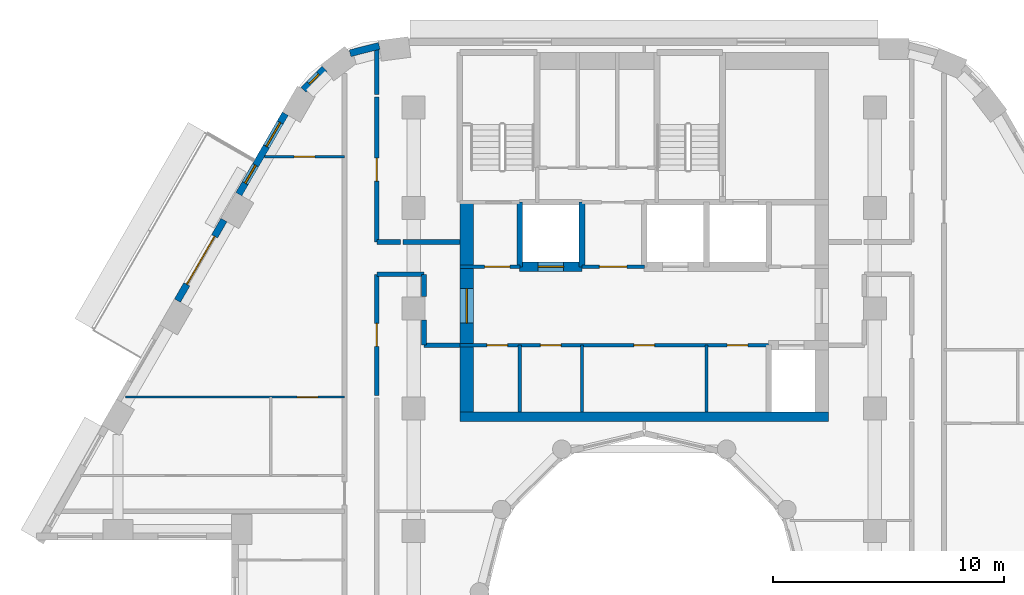
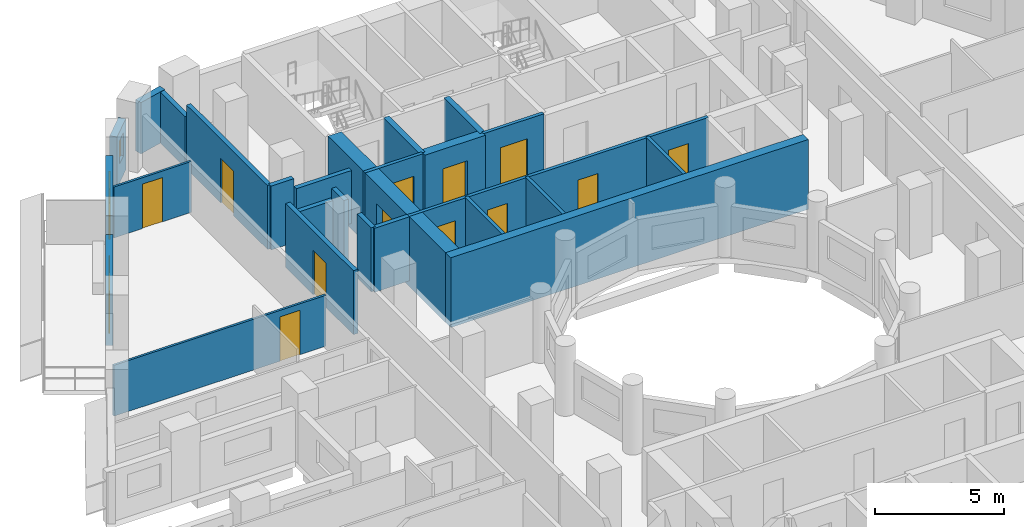
# One storey, part 7 of 13: 26 walls, 13 doors, 3 windows, 16 openings.
"""IFC4 building model written with IfcOpenShell, lengths in metres."""

from ifc_helpers import new_model, si_unit, direction, frame, frame_2d, origin, place, context, subcontext, project, spatial, rectangle, extrude, material, layer, layer_set, type_object, element, fill, save


model = new_model("IFC4")

# Units and contexts
model_context = context("Model", 3, precision=1e-05, world=origin(), true_north=direction((0.0, 1.0)))
body_context = subcontext(model_context, "Body", "Model", "MODEL_VIEW")
ifc_project = project(units=[si_unit("LENGTHUNIT", "METRE"), si_unit("AREAUNIT", "SQUARE_METRE"), si_unit("VOLUMEUNIT", "CUBIC_METRE"), si_unit("PLANEANGLEUNIT", "RADIAN"), si_unit("MASSUNIT", "GRAM", prefix="KILO")], contexts=[model_context])

# Site, building, storey
site_placement = place(None, origin())
site = spatial("IfcSite", under=ifc_project, at=site_placement, CompositionType="ELEMENT")
building_placement = place(site_placement, origin())
building = spatial("IfcBuilding", under=site, at=building_placement, Name="Nakaniwa Court", CompositionType="ELEMENT")
storey_placement = place(building_placement, frame((0.0, 0.0, 140.39990234375)))
storey = spatial("IfcBuildingStorey", under=building, at=storey_placement, Name="L36", CompositionType="ELEMENT", Elevation=140.39990234375)

# Walls
ifc_material_1 = material(Name="Acoustic double stud partition")
ifc_layer_1 = layer(ifc_material_1, 0.199951171875)
ifc_layer_set_1 = layer_set([ifc_layer_1], Name="Acoustic double stud partition")
wall_type_1 = type_object("IfcWallType", Name="Acoustic double stud partition 200", PredefinedType="PARTITIONING", material=ifc_layer_set_1)
wall_1_placement = place(storey_placement, frame((68.39990234375, 93.77490234375, 0.0), z_axis=(0.0, 0.0, 1.0), x_axis=(1.0, 0.0, 0.0)))
element("IfcWall", 1, at=wall_1_placement, inside=storey, type_object=wall_type_1, Name="Partition PW-092", PredefinedType="PARTITIONING", context=body_context, shape_type="SweptSolid", body=[
    extrude(rectangle(XDim=2.050048828125, YDim=0.199951171875, at=frame_2d((1.02490234375, 0.0))), origin(), (0.0, 0.0, 1.0), 2.505126953125),
])
wall_2_placement = place(storey_placement, frame((70.449951171875, 90.699951171875, 0.0), z_axis=(0.0, 0.0, 1.0), x_axis=(1.0, 0.0, 0.0)))
element("IfcWall", 2, at=wall_2_placement, inside=storey, type_object=wall_type_1, Name="Partition PW-094", PredefinedType="PARTITIONING", context=body_context, shape_type="SweptSolid", body=[
    extrude(rectangle(XDim=1.550048828125, YDim=0.199951171875, at=frame_2d((0.77490234375, 0.0))), origin(), (0.0, 0.0, 1.0), 3.025146484375),
])
wall_3_placement = place(storey_placement, frame((68.39990234375, 95.175048828125, 0.0), z_axis=(0.0, 0.0, 1.0), x_axis=(1.0, 0.0, 0.0)))
element("IfcWall", 3, at=wall_3_placement, inside=storey, type_object=wall_type_1, Name="Partition PW-096", PredefinedType="PARTITIONING", context=body_context, shape_type="SweptSolid", body=[
    extrude(rectangle(XDim=1.02294921875, YDim=0.199951171875, at=frame_2d((0.511474609375, 0.0))), origin(), (0.0, 0.0, 1.0), 3.025146484375),
])
wall_4_placement = place(storey_placement, frame((69.537109375, 95.175048828125, 0.0), z_axis=(0.0, 0.0, 1.0), x_axis=(1.0, 0.0, 0.0)))
element("IfcWall", 4, at=wall_4_placement, inside=storey, type_object=wall_type_1, Name="Partition PW-097", PredefinedType="PARTITIONING", context=body_context, shape_type="SweptSolid", body=[
    extrude(rectangle(XDim=2.462890625, YDim=0.199951171875, at=frame_2d((1.2314453125, 0.0))), origin(), (0.0, 0.0, 1.0), 2.505126953125),
])

# Wall, opening, door
wall_5_placement = place(storey_placement, frame((68.39990234375, 93.77490234375, 0.0), z_axis=(0.0, 0.0, 1.0), x_axis=(0.0, -1.0, 0.0)))
wall_5 = element("IfcWall", 5, at=wall_5_placement, inside=storey, type_object=wall_type_1, Name="Partition PW-105", PredefinedType="PARTITIONING", context=body_context, shape_type="SweptSolid", body=[
    extrude(rectangle(XDim=5.247802734375, YDim=0.199951171875, at=frame_2d((2.6240234375, 0.0))), origin(), (0.0, 0.0, 1.0), 3.025146484375),
])
opening_1_placement = place(wall_5_placement, frame((2.123046875, 0.0, 0.0)))
opening_1 = element("IfcOpeningElement", 6, at=opening_1_placement, cuts=wall_5, Name="Opening D-02-08", PredefinedType="OPENING", context=body_context, shape_type="SweptSolid", body=[
    extrude(rectangle(XDim=1.0, YDim=2.10009765625, at=frame_2d((0.5, 1.050048828125))), frame((0.0, 0.10986328125, 0.0), z_axis=(0.0, -1.0, 0.0), x_axis=(1.0, 0.0, 0.0)), (0.0, 0.0, 1.0), 0.219970703125),
])
ifc_material_2 = material(Name="Solid core timber door set, black veneer", Category="wood")
door_type_1 = type_object("IfcDoorType", Name="Internal door 1000", OperationType="NOTDEFINED", PredefinedType="DOOR", material=ifc_material_2)
door_1_placement = place(opening_1_placement, origin())
door_1 = element("IfcDoor", 7, at=door_1_placement, inside=storey, type_object=door_type_1, Name="Door D-02-08 L36-044", OperationType="SINGLE_SWING_LEFT", OverallHeight=2.10009765625, OverallWidth=1.0, PredefinedType="DOOR", context=body_context, shape_type="SweptSolid", body=[
    extrude(rectangle(XDim=1.0, YDim=2.10009765625, at=frame_2d((0.5, 1.050048828125))), frame((0.0, 0.02490234375, 0.0), z_axis=(0.0, -1.0, 0.0), x_axis=(1.0, 0.0, 0.0)), (0.0, 0.0, 1.0), 0.050048828125),
])
fill(opening_1, door_1)

wall_6_placement = place(storey_placement, frame((68.39990234375, 101.462890625, 0.0), z_axis=(0.0, 0.0, 1.0), x_axis=(0.0, -1.0, 0.0)))
wall_6 = element("IfcWall", 8, at=wall_6_placement, inside=storey, type_object=wall_type_1, Name="Partition PW-106", PredefinedType="PARTITIONING", context=body_context, shape_type="SweptSolid", body=[
    extrude(rectangle(XDim=6.287841796875, YDim=0.199951171875, at=frame_2d((3.14404296875, 0.0))), origin(), (0.0, 0.0, 1.0), 3.025146484375),
])
opening_2_placement = place(wall_6_placement, frame((2.64501953125, 0.0, 0.0)))
opening_2 = element("IfcOpeningElement", 9, at=opening_2_placement, cuts=wall_6, Name="Opening D-02-12", PredefinedType="OPENING", context=body_context, shape_type="SweptSolid", body=[
    extrude(rectangle(XDim=1.0, YDim=2.10009765625, at=frame_2d((0.5, 1.050048828125))), frame((0.0, 0.10986328125, 0.0), z_axis=(0.0, -1.0, 0.0), x_axis=(1.0, 0.0, 0.0)), (0.0, 0.0, 1.0), 0.219970703125),
])
door_2_placement = place(opening_2_placement, origin())
door_2 = element("IfcDoor", 10, at=door_2_placement, inside=storey, type_object=door_type_1, Name="Door D-02-12 L36-053", OperationType="SINGLE_SWING_RIGHT", OverallHeight=2.10009765625, OverallWidth=1.0, PredefinedType="DOOR", context=body_context, shape_type="SweptSolid", body=[
    extrude(rectangle(XDim=1.0, YDim=2.10009765625, at=frame_2d((0.5, 1.050048828125))), frame((0.0, 0.02490234375, 0.0), z_axis=(0.0, -1.0, 0.0), x_axis=(1.0, 0.0, 0.0)), (0.0, 0.0, 1.0), 0.050048828125),
])
fill(opening_2, door_2)

# Walls
wall_7_placement = place(storey_placement, frame((68.39990234375, 101.5771484375, 0.0), z_axis=(0.0, 0.0, 1.0), x_axis=(0.0, 1.0, 0.0)))
element("IfcWall", 11, at=wall_7_placement, inside=storey, type_object=wall_type_1, Name="Partition PW-107", PredefinedType="PARTITIONING", context=body_context, shape_type="SweptSolid", body=[
    extrude(rectangle(XDim=2.02197265625, YDim=0.199951171875, at=frame_2d((1.010986328125, 0.0))), origin(), (0.0, 0.0, 1.0), 2.405029296875),
])
wall_8_placement = place(storey_placement, frame((70.449951171875, 90.699951171875, 0.0), z_axis=(0.0, 0.0, 1.0), x_axis=(0.0, 1.0, 0.0)))
element("IfcWall", 12, at=wall_8_placement, inside=storey, type_object=wall_type_1, Name="Partition PW-111", PredefinedType="PARTITIONING", context=body_context, shape_type="SweptSolid", body=[
    extrude(rectangle(XDim=1.082763671875, YDim=0.199951171875, at=frame_2d((0.54150390625, 0.0))), origin(), (0.0, 0.0, 1.0), 3.025146484375),
])
wall_9_placement = place(storey_placement, frame((70.449951171875, 92.817138671875, 0.0), z_axis=(0.0, 0.0, 1.0), x_axis=(0.0, 1.0, 0.0)))
element("IfcWall", 13, at=wall_9_placement, inside=storey, type_object=wall_type_1, Name="Partition PW-112", PredefinedType="PARTITIONING", context=body_context, shape_type="SweptSolid", body=[
    extrude(rectangle(XDim=0.957763671875, YDim=0.199951171875, at=frame_2d((0.47900390625, 0.0))), origin(), (0.0, 0.0, 1.0), 3.025146484375),
])
ifc_material_3 = material(Name="Charcoal ceramic cladding")
ifc_layer_2 = layer(ifc_material_3, 0.02, Name="Ceramic cladding")
ifc_material_4 = material(Name="Ventilated air cavity")
ifc_layer_3 = layer(ifc_material_4, 0.04, ventilated=True, Name="Ventilated cavity")
ifc_material_5 = material(Name="Mineral wool insulation")
ifc_layer_4 = layer(ifc_material_5, 0.1, Name="Insulation")
ifc_material_6 = material(Name="Cement bonded sheathing board")
ifc_layer_5 = layer(ifc_material_6, 0.012, Name="Sheathing")
ifc_material_7 = material(Name="Cold-formed galvanised stud frame with mineral wool infill")
ifc_layer_6 = layer(ifc_material_7, 0.1, Name="Stud frame")
ifc_material_8 = material(Name="Fire-rated gypsum plasterboard lining")
ifc_layer_7 = layer(ifc_material_8, 0.028, Name="Lining")
ifc_layer_set_2 = layer_set([ifc_layer_2, ifc_layer_3, ifc_layer_4, ifc_layer_5, ifc_layer_6, ifc_layer_7], Name="Charcoal ceramic faced external wall system")
wall_type_2 = type_object("IfcWallType", Name="Black ceramic faced external wall 300", PredefinedType="SOLIDWALL", material=ifc_layer_set_2)
wall_10_placement = place(storey_placement, frame((68.506103515625, 103.68310546875, 0.0), z_axis=(0.0, 0.0, 1.0), x_axis=(-0.96924493129, -0.246098076322, 0.0)))
element("IfcWall", 14, at=wall_10_placement, inside=storey, type_object=wall_type_2, Name="L36 external wall 09", PredefinedType="SOLIDWALL", context=body_context, shape_type="SweptSolid", body=[
    extrude(rectangle(XDim=1.305419921875, YDim=0.300048828125, at=frame_2d((0.65283203125, 0.0))), origin(), (0.0, 0.0, 1.0), 2.425048828125),
])

# Wall, opening, window
wall_11_placement = place(storey_placement, frame((66.12890625, 102.68798828125, 0.0), z_axis=(0.0, 0.0, 1.0), x_axis=(-0.70881270082, -0.705396735997, 0.0)))
wall_11 = element("IfcWall", 15, at=wall_11_placement, inside=storey, type_object=wall_type_2, Name="L36 external wall 10", PredefinedType="SOLIDWALL", context=body_context, shape_type="SweptSolid", body=[
    extrude(rectangle(XDim=1.286376953125, YDim=0.300048828125, at=frame_2d((0.64306640625, 0.0))), origin(), (0.0, 0.0, 1.0), 2.425048828125),
])
opening_3_placement = place(wall_11_placement, frame((0.3330078125, 0.0, 0.89990234375)))
opening_3 = element("IfcOpeningElement", 16, at=opening_3_placement, cuts=wall_11, Name="Opening W8.11", PredefinedType="OPENING", context=body_context, shape_type="SweptSolid", body=[
    extrude(rectangle(XDim=0.60009765625, YDim=1.10009765625, at=frame_2d((0.300048828125, 0.550048828125))), frame((0.0, 0.159912109375, 0.0), z_axis=(0.0, -1.0, 0.0), x_axis=(1.0, 0.0, 0.0)), (0.0, 0.0, 1.0), 0.320068359375),
])
ifc_material_9 = material(Name="Black anodised aluminium frame with dark low-E laminated double glazing", Category="aluminium")
window_type_1 = type_object("IfcWindowType", Name="Dark glass window 600x1100 sill 900", PartitioningType="SINGLE_PANEL", PredefinedType="WINDOW", material=ifc_material_9)
window_1_placement = place(opening_3_placement, origin())
window_1 = element("IfcWindow", 17, at=window_1_placement, inside=storey, type_object=window_type_1, Name="L36 habitable room window 10-0", OverallHeight=1.10009765625, OverallWidth=0.60009765625, PartitioningType="SINGLE_PANEL", PredefinedType="WINDOW", context=body_context, shape_type="SweptSolid", body=[
    extrude(rectangle(XDim=0.60009765625, YDim=1.10009765625, at=frame_2d((0.300048828125, 0.550048828125))), frame((0.0, 0.030029296875, 0.0), z_axis=(0.0, -1.0, 0.0), x_axis=(1.0, 0.0, 0.0)), (0.0, 0.0, 1.0), 0.06005859375),
])
fill(opening_3, window_1)

# Wall, openings, windows
wall_12_placement = place(storey_placement, frame((64.434814453125, 100.739990234375, 0.0), z_axis=(0.0, 0.0, 1.0), x_axis=(-0.500031546601, -0.86600718958, 0.0)))
wall_12 = element("IfcWall", 18, at=wall_12_placement, inside=storey, type_object=wall_type_2, Name="L36 external wall 11", PredefinedType="SOLIDWALL", context=body_context, shape_type="SweptSolid", body=[
    extrude(rectangle(XDim=4.033935546875, YDim=0.300048828125, at=frame_2d((2.01708984375, 0.0))), origin(), (0.0, 0.0, 1.0), 2.425048828125),
])
opening_4_placement = place(wall_12_placement, frame((0.439453125, 0.0, 0.89990234375)))
opening_4 = element("IfcOpeningElement", 19, at=opening_4_placement, cuts=wall_12, Name="Opening W6.12", PredefinedType="OPENING", context=body_context, shape_type="SweptSolid", body=[
    extrude(rectangle(XDim=1.199951171875, YDim=1.10009765625, at=frame_2d((0.60009765625, 0.550048828125))), frame((0.0, 0.159912109375, 0.0), z_axis=(0.0, -1.0, 0.0), x_axis=(1.0, 0.0, 0.0)), (0.0, 0.0, 1.0), 0.320068359375),
])
opening_5_placement = place(wall_12_placement, frame((2.58251953125, 0.0, 0.89990234375)))
opening_5 = element("IfcOpeningElement", 20, at=opening_5_placement, cuts=wall_12, Name="Opening W9.13", PredefinedType="OPENING", context=body_context, shape_type="SweptSolid", body=[
    extrude(rectangle(XDim=0.89990234375, YDim=1.10009765625, at=frame_2d((0.449951171875, 0.550048828125))), frame((0.0, 0.159912109375, 0.0), z_axis=(0.0, -1.0, 0.0), x_axis=(1.0, 0.0, 0.0)), (0.0, 0.0, 1.0), 0.320068359375),
])
window_type_2 = type_object("IfcWindowType", Name="Dark glass window 1200x1100 sill 900", PartitioningType="SINGLE_PANEL", PredefinedType="WINDOW", material=ifc_material_9)
window_2_placement = place(opening_4_placement, origin())
window_2 = element("IfcWindow", 21, at=window_2_placement, inside=storey, type_object=window_type_2, Name="L36 habitable room window 11-0", OverallHeight=1.10009765625, OverallWidth=1.199951171875, PartitioningType="SINGLE_PANEL", PredefinedType="WINDOW", context=body_context, shape_type="SweptSolid", body=[
    extrude(rectangle(XDim=1.199951171875, YDim=1.10009765625, at=frame_2d((0.60009765625, 0.550048828125))), frame((0.0, 0.030029296875, 0.0), z_axis=(0.0, -1.0, 0.0), x_axis=(1.0, 0.0, 0.0)), (0.0, 0.0, 1.0), 0.06005859375),
])
fill(opening_4, window_2)
window_type_3 = type_object("IfcWindowType", Name="Dark glass window 900x1100 sill 900", PartitioningType="SINGLE_PANEL", PredefinedType="WINDOW", material=ifc_material_9)
window_3_placement = place(opening_5_placement, origin())
window_3 = element("IfcWindow", 22, at=window_3_placement, inside=storey, type_object=window_type_3, Name="L36 living window 11-1", OverallHeight=1.10009765625, OverallWidth=0.89990234375, PartitioningType="SINGLE_PANEL", PredefinedType="WINDOW", context=body_context, shape_type="SweptSolid", body=[
    extrude(rectangle(XDim=0.89990234375, YDim=1.10009765625, at=frame_2d((0.449951171875, 0.550048828125))), frame((0.0, 0.030029296875, 0.0), z_axis=(0.0, -1.0, 0.0), x_axis=(1.0, 0.0, 0.0)), (0.0, 0.0, 1.0), 0.06005859375),
])
fill(opening_5, window_3)

# Wall, opening, door
wall_13_placement = place(storey_placement, frame((61.771728515625, 96.127685546875, 0.0), z_axis=(0.0, 0.0, 1.0), x_axis=(-0.500031546601, -0.86600718958, 0.0)))
wall_13 = element("IfcWall", 23, at=wall_13_placement, inside=storey, type_object=wall_type_2, Name="L36 external wall 12", PredefinedType="SOLIDWALL", context=body_context, shape_type="SweptSolid", body=[
    extrude(rectangle(XDim=4.033935546875, YDim=0.300048828125, at=frame_2d((2.01708984375, 0.0))), origin(), (0.0, 0.0, 1.0), 2.425048828125),
])
opening_6_placement = place(wall_13_placement, frame((0.81689453125, 0.0, 0.0)))
opening_6 = element("IfcOpeningElement", 24, at=opening_6_placement, cuts=wall_13, Name="Opening XD13.01", PredefinedType="OPENING", context=body_context, shape_type="SweptSolid", body=[
    extrude(rectangle(XDim=2.39990234375, YDim=2.0, at=frame_2d((1.199951171875, 1.0))), frame((0.0, 0.159912109375, 0.0), z_axis=(0.0, -1.0, 0.0), x_axis=(1.0, 0.0, 0.0)), (0.0, 0.0, 1.0), 0.320068359375),
])
ifc_material_10 = material(Name="Black powder-coated aluminium frame with dark laminated glass", Category="aluminium")
door_type_2 = type_object("IfcDoorType", Name="Balcony sliding door 2400x2000", OperationType="DOUBLE_DOOR_SLIDING", PredefinedType="DOOR", material=ifc_material_10)
door_3_placement = place(opening_6_placement, origin())
door_3 = element("IfcDoor", 25, at=door_3_placement, inside=storey, type_object=door_type_2, Name="L36 balcony sliding door 01", OperationType="DOUBLE_DOOR_SLIDING", OverallHeight=2.0, OverallWidth=2.39990234375, PredefinedType="DOOR", context=body_context, shape_type="SweptSolid", body=[
    extrude(rectangle(XDim=2.39990234375, YDim=2.0, at=frame_2d((1.199951171875, 1.0))), frame((0.0, 0.02490234375, 0.0), z_axis=(0.0, -1.0, 0.0), x_axis=(1.0, 0.0, 0.0)), (0.0, 0.0, 1.0), 0.050048828125),
])
fill(opening_6, door_3)

# Wall
ifc_material_11 = material(Name="Blockwork partition", Category="masonry")
ifc_layer_8 = layer(ifc_material_11, 0.14990234375)
ifc_layer_set_3 = layer_set([ifc_layer_8], Name="Blockwork partition")
wall_type_3 = type_object("IfcWallType", Name="Blockwork partition 150", PredefinedType="PARTITIONING", material=ifc_layer_set_3)
wall_14_placement = place(storey_placement, frame((74.60009765625, 87.800048828125, 0.0), z_axis=(0.0, 0.0, 1.0), x_axis=(0.0, 1.0, 0.0)))
element("IfcWall", 26, at=wall_14_placement, inside=storey, type_object=wall_type_3, Name="Partition PW-001", PredefinedType="PARTITIONING", context=body_context, shape_type="SweptSolid", body=[
    extrude(rectangle(XDim=2.89990234375, YDim=0.14990234375, at=frame_2d((1.449951171875, 0.0))), origin(), (0.0, 0.0, 1.0), 3.025146484375),
])

# Wall, openings, doors
wall_15_placement = place(storey_placement, frame((85.39990234375, 90.699951171875, 0.0), z_axis=(0.0, 0.0, 1.0), x_axis=(-1.0, 0.0, 0.0)))
wall_15 = element("IfcWall", 27, at=wall_15_placement, inside=storey, type_object=wall_type_3, Name="Partition PW-002", PredefinedType="PARTITIONING", context=body_context, shape_type="SweptSolid", body=[
    extrude(rectangle(XDim=13.39990234375, YDim=0.14990234375, at=frame_2d((6.699951171875, 0.0))), origin(), (0.0, 0.0, 1.0), 3.025146484375),
])
opening_7_placement = place(wall_15_placement, frame((11.324951171875, 0.0, 0.0)))
opening_7 = element("IfcOpeningElement", 28, at=opening_7_placement, cuts=wall_15, Name="Opening D-05-01", PredefinedType="OPENING", context=body_context, shape_type="SweptSolid", body=[
    extrude(rectangle(XDim=0.89990234375, YDim=2.10009765625, at=frame_2d((0.449951171875, 1.050048828125))), frame((0.0, 0.0849609375, 0.0), z_axis=(0.0, -1.0, 0.0), x_axis=(1.0, 0.0, 0.0)), (0.0, 0.0, 1.0), 0.169921875),
])
opening_8_placement = place(wall_15_placement, frame((9.0, 0.0, 0.0)))
opening_8 = element("IfcOpeningElement", 29, at=opening_8_placement, cuts=wall_15, Name="Opening D-05-02", PredefinedType="OPENING", context=body_context, shape_type="SweptSolid", body=[
    extrude(rectangle(XDim=0.89990234375, YDim=2.10009765625, at=frame_2d((0.449951171875, 1.050048828125))), frame((0.0, 0.0849609375, 0.0), z_axis=(0.0, -1.0, 0.0), x_axis=(1.0, 0.0, 0.0)), (0.0, 0.0, 1.0), 0.169921875),
])
opening_9_placement = place(wall_15_placement, frame((4.949951171875, 0.0, 0.0)))
opening_9 = element("IfcOpeningElement", 30, at=opening_9_placement, cuts=wall_15, Name="Opening D-05-03", PredefinedType="OPENING", context=body_context, shape_type="SweptSolid", body=[
    extrude(rectangle(XDim=0.89990234375, YDim=2.10009765625, at=frame_2d((0.449951171875, 1.050048828125))), frame((0.0, 0.0849609375, 0.0), z_axis=(0.0, -1.0, 0.0), x_axis=(1.0, 0.0, 0.0)), (0.0, 0.0, 1.0), 0.169921875),
])
opening_10_placement = place(wall_15_placement, frame((0.89990234375, 0.0, 0.0)))
opening_10 = element("IfcOpeningElement", 31, at=opening_10_placement, cuts=wall_15, Name="Opening D-05-04", PredefinedType="OPENING", context=body_context, shape_type="SweptSolid", body=[
    extrude(rectangle(XDim=0.89990234375, YDim=2.10009765625, at=frame_2d((0.449951171875, 1.050048828125))), frame((0.0, 0.0849609375, 0.0), z_axis=(0.0, -1.0, 0.0), x_axis=(1.0, 0.0, 0.0)), (0.0, 0.0, 1.0), 0.169921875),
])
ifc_material_12 = material(Name="Fire rated steel door set", Category="steel")
door_type_3 = type_object("IfcDoorType", Name="Service room door 900", OperationType="NOTDEFINED", PredefinedType="DOOR", material=ifc_material_12)
door_4_placement = place(opening_7_placement, origin())
door_4 = element("IfcDoor", 32, at=door_4_placement, inside=storey, type_object=door_type_3, Name="Door D-05-01 L36-001", OperationType="SINGLE_SWING_RIGHT", OverallHeight=2.10009765625, OverallWidth=0.89990234375, PredefinedType="DOOR", context=body_context, shape_type="SweptSolid", body=[
    extrude(rectangle(XDim=0.89990234375, YDim=2.10009765625, at=frame_2d((0.449951171875, 1.050048828125))), frame((0.0, 0.02490234375, 0.0), z_axis=(0.0, -1.0, 0.0), x_axis=(1.0, 0.0, 0.0)), (0.0, 0.0, 1.0), 0.050048828125),
])
fill(opening_7, door_4)
door_5_placement = place(opening_8_placement, origin())
door_5 = element("IfcDoor", 33, at=door_5_placement, inside=storey, type_object=door_type_3, Name="Door D-05-02 L36-002", OperationType="SINGLE_SWING_LEFT", OverallHeight=2.10009765625, OverallWidth=0.89990234375, PredefinedType="DOOR", context=body_context, shape_type="SweptSolid", body=[
    extrude(rectangle(XDim=0.89990234375, YDim=2.10009765625, at=frame_2d((0.449951171875, 1.050048828125))), frame((0.0, 0.02490234375, 0.0), z_axis=(0.0, -1.0, 0.0), x_axis=(1.0, 0.0, 0.0)), (0.0, 0.0, 1.0), 0.050048828125),
])
fill(opening_8, door_5)
door_6_placement = place(opening_9_placement, origin())
door_6 = element("IfcDoor", 34, at=door_6_placement, inside=storey, type_object=door_type_3, Name="Door D-05-03 L36-003", OperationType="SINGLE_SWING_RIGHT", OverallHeight=2.10009765625, OverallWidth=0.89990234375, PredefinedType="DOOR", context=body_context, shape_type="SweptSolid", body=[
    extrude(rectangle(XDim=0.89990234375, YDim=2.10009765625, at=frame_2d((0.449951171875, 1.050048828125))), frame((0.0, 0.02490234375, 0.0), z_axis=(0.0, -1.0, 0.0), x_axis=(1.0, 0.0, 0.0)), (0.0, 0.0, 1.0), 0.050048828125),
])
fill(opening_9, door_6)
door_7_placement = place(opening_10_placement, origin())
door_7 = element("IfcDoor", 35, at=door_7_placement, inside=storey, type_object=door_type_3, Name="Door D-05-04 L36-004", OperationType="SINGLE_SWING_LEFT", OverallHeight=2.10009765625, OverallWidth=0.89990234375, PredefinedType="DOOR", context=body_context, shape_type="SweptSolid", body=[
    extrude(rectangle(XDim=0.89990234375, YDim=2.10009765625, at=frame_2d((0.449951171875, 1.050048828125))), frame((0.0, 0.02490234375, 0.0), z_axis=(0.0, -1.0, 0.0), x_axis=(1.0, 0.0, 0.0)), (0.0, 0.0, 1.0), 0.050048828125),
])
fill(opening_10, door_7)

# Walls
for number, where, z_axis, x_axis, name in (
    (36, (77.300048828125, 87.800048828125, 0.0), (0.0, 0.0, 1.0), (0.0, 1.0, 0.0), "Partition PW-008"),
    (37, (82.699951171875, 87.800048828125, 0.0), (0.0, 0.0, 1.0), (0.0, 1.0, 0.0), "Partition PW-009"),
):
    element("IfcWall", number, at=place(storey_placement, frame(where, z_axis=z_axis, x_axis=x_axis)), inside=storey, type_object=wall_type_3, Name=name, PredefinedType="PARTITIONING", context=body_context, shape_type="SweptSolid", body=[
        extrude(rectangle(XDim=2.89990234375, YDim=0.14990234375, at=frame_2d((1.449951171875, 0.0))), origin(), (0.0, 0.0, 1.0), 3.025146484375),
    ])

# Wall, opening, door
wall_16_placement = place(storey_placement, frame((72.0, 94.10009765625, 0.0), z_axis=(0.0, 0.0, 1.0), x_axis=(1.0, 0.0, 0.0)))
wall_16 = element("IfcWall", 38, at=wall_16_placement, inside=storey, type_object=wall_type_3, Name="Partition PW-010", PredefinedType="PARTITIONING", context=body_context, shape_type="SweptSolid", body=[
    extrude(rectangle(XDim=2.60302734375, YDim=0.14990234375, at=frame_2d((1.301513671875, 0.0))), origin(), (0.0, 0.0, 1.0), 3.025146484375),
])
opening_11_placement = place(wall_16_placement, frame((1.074951171875, 0.0, 0.0)))
opening_11 = element("IfcOpeningElement", 39, at=opening_11_placement, cuts=wall_16, Name="Opening D-08-01", PredefinedType="OPENING", context=body_context, shape_type="SweptSolid", body=[
    extrude(rectangle(XDim=1.10009765625, YDim=2.10009765625, at=frame_2d((0.550048828125, 1.050048828125))), frame((0.0, 0.0849609375, 0.0), z_axis=(0.0, -1.0, 0.0), x_axis=(1.0, 0.0, 0.0)), (0.0, 0.0, 1.0), 0.169921875),
])
door_type_4 = type_object("IfcDoorType", Name="Stair lobby door 1100", OperationType="NOTDEFINED", PredefinedType="DOOR", material=ifc_material_12)
door_8_placement = place(opening_11_placement, origin())
door_8 = element("IfcDoor", 40, at=door_8_placement, inside=storey, type_object=door_type_4, Name="Door D-08-01 L36-005", OperationType="SINGLE_SWING_RIGHT", OverallHeight=2.10009765625, OverallWidth=1.10009765625, PredefinedType="DOOR", context=body_context, shape_type="SweptSolid", body=[
    extrude(rectangle(XDim=1.10009765625, YDim=2.10009765625, at=frame_2d((0.550048828125, 1.050048828125))), frame((0.0, 0.02490234375, 0.0), z_axis=(0.0, -1.0, 0.0), x_axis=(1.0, 0.0, 0.0)), (0.0, 0.0, 1.0), 0.050048828125),
])
fill(opening_11, door_8)

wall_17_placement = place(storey_placement, frame((77.297119140625, 94.10009765625, 0.0), z_axis=(0.0, 0.0, 1.0), x_axis=(1.0, 0.0, 0.0)))
wall_17 = element("IfcWall", 41, at=wall_17_placement, inside=storey, type_object=wall_type_3, Name="Partition PW-011", PredefinedType="PARTITIONING", context=body_context, shape_type="SweptSolid", body=[
    extrude(rectangle(XDim=2.705810546875, YDim=0.14990234375, at=frame_2d((1.35302734375, 0.0))), origin(), (0.0, 0.0, 1.0), 3.025146484375),
])
opening_12_placement = place(wall_17_placement, frame((0.7529296875, 0.0, 0.0)))
opening_12 = element("IfcOpeningElement", 42, at=opening_12_placement, cuts=wall_17, Name="Opening D-06-01", PredefinedType="OPENING", context=body_context, shape_type="SweptSolid", body=[
    extrude(rectangle(XDim=1.199951171875, YDim=2.10009765625, at=frame_2d((0.60009765625, 1.050048828125))), frame((0.0, 0.0849609375, 0.0), z_axis=(0.0, -1.0, 0.0), x_axis=(1.0, 0.0, 0.0)), (0.0, 0.0, 1.0), 0.169921875),
])
ifc_material_13 = material(Name="Fire rated steel double door set", Category="steel")
door_type_5 = type_object("IfcDoorType", Name="Service passage double door 1200", OperationType="NOTDEFINED", PredefinedType="DOOR", material=ifc_material_13)
door_9_placement = place(opening_12_placement, origin())
door_9 = element("IfcDoor", 43, at=door_9_placement, inside=storey, type_object=door_type_5, Name="Door D-06-01 L36-006", OperationType="DOUBLE_DOOR_SINGLE_SWING", OverallHeight=2.10009765625, OverallWidth=1.199951171875, PredefinedType="DOOR", context=body_context, shape_type="SweptSolid", body=[
    extrude(rectangle(XDim=1.199951171875, YDim=2.10009765625, at=frame_2d((0.60009765625, 1.050048828125))), frame((0.0, 0.02490234375, 0.0), z_axis=(0.0, -1.0, 0.0), x_axis=(1.0, 0.0, 0.0)), (0.0, 0.0, 1.0), 0.050048828125),
])
fill(opening_12, door_9)

ifc_material_14 = material(Name="Concrete C80/100", Category="concrete")
ifc_layer_9 = layer(ifc_material_14, 0.60009765625)
ifc_layer_set_4 = layer_set([ifc_layer_9], Name="Concrete C80/100")
wall_type_4 = type_object("IfcWallType", Name="Concrete core side wall 600 C80", PredefinedType="SHEAR", material=ifc_layer_set_4)
wall_18_placement = place(storey_placement, frame((72.300048828125, 87.800048828125, -0.27490234375), z_axis=(0.0, 0.0, 1.0), x_axis=(0.0, 1.0, 0.0)))
wall_18 = element("IfcWall", 44, at=wall_18_placement, inside=storey, type_object=wall_type_4, Name="Core wall SW-03", PredefinedType="SHEAR", context=body_context, shape_type="SweptSolid", body=[
    extrude(rectangle(XDim=9.099853515625, YDim=0.60009765625, at=frame_2d((4.5498046875, 0.0))), origin(), (0.0, 0.0, 1.0), 3.300048828125),
])
opening_13_placement = place(wall_18_placement, frame((3.85205078125, 0.0, 0.27490234375)))
opening_13 = element("IfcOpeningElement", 45, at=opening_13_placement, cuts=wall_18, Name="Opening D-07-02", PredefinedType="OPENING", context=body_context, shape_type="SweptSolid", body=[
    extrude(rectangle(XDim=1.5, YDim=2.10009765625, at=frame_2d((0.75, 1.050048828125))), frame((0.0, 0.31005859375, 0.0), z_axis=(0.0, -1.0, 0.0), x_axis=(1.0, 0.0, 0.0)), (0.0, 0.0, 1.0), 0.6201171875),
])
ifc_material_15 = material(Name="Glazed fire rated steel double door set", Category="steel")
door_type_6 = type_object("IfcDoorType", Name="Lobby double door 1500", OperationType="NOTDEFINED", PredefinedType="DOOR", material=ifc_material_15)
door_10_placement = place(opening_13_placement, origin())
door_10 = element("IfcDoor", 46, at=door_10_placement, inside=storey, type_object=door_type_6, Name="Door D-07-02 L36-055", OperationType="DOUBLE_DOOR_SINGLE_SWING", OverallHeight=2.10009765625, OverallWidth=1.5, PredefinedType="DOOR", context=body_context, shape_type="SweptSolid", body=[
    extrude(rectangle(XDim=1.5, YDim=2.10009765625, at=frame_2d((0.75, 1.050048828125))), frame((0.0, 0.02490234375, 0.0), z_axis=(0.0, -1.0, 0.0), x_axis=(1.0, 0.0, 0.0)), (0.0, 0.0, 1.0), 0.050048828125),
])
fill(opening_13, door_10)

ifc_layer_10 = layer(ifc_material_14, 0.39990234375)
ifc_layer_set_5 = layer_set([ifc_layer_10], Name="Concrete C80/100")
wall_type_5 = type_object("IfcWallType", Name="Concrete core spine wall 400 C80", PredefinedType="SHEAR", material=ifc_layer_set_5)
wall_19_placement = place(storey_placement, frame((74.596923828125, 94.10009765625, -0.27490234375), z_axis=(0.0, 0.0, 1.0), x_axis=(1.0, 0.0, 0.0)))
wall_19 = element("IfcWall", 47, at=wall_19_placement, inside=storey, type_object=wall_type_5, Name="Core wall SW-13", PredefinedType="SHEAR", context=body_context, shape_type="SweptSolid", body=[
    extrude(rectangle(XDim=2.7060546875, YDim=0.39990234375, at=frame_2d((1.35302734375, 0.0))), origin(), (0.0, 0.0, 1.0), 3.300048828125),
])
opening_14_placement = place(wall_19_placement, frame((0.802978515625, 0.0, 0.27490234375)))
opening_14 = element("IfcOpeningElement", 48, at=opening_14_placement, cuts=wall_19, Name="Opening LD02", PredefinedType="OPENING", context=body_context, shape_type="SweptSolid", body=[
    extrude(rectangle(XDim=1.10009765625, YDim=2.10009765625, at=frame_2d((0.550048828125, 1.050048828125))), frame((0.0, 0.2099609375, 0.0), z_axis=(0.0, -1.0, 0.0), x_axis=(1.0, 0.0, 0.0)), (0.0, 0.0, 1.0), 0.419921875),
])
ifc_material_16 = material(Name="Stainless steel sliding lift landing door", Category="steel")
door_type_7 = type_object("IfcDoorType", Name="Lift landing door 1100", OperationType="NOTDEFINED", PredefinedType="DOOR", material=ifc_material_16)
door_11_placement = place(opening_14_placement, origin())
door_11 = element("IfcDoor", 49, at=door_11_placement, inside=storey, type_object=door_type_7, Name="Lift landing door LD02 L36-002", OperationType="SLIDING_TO_LEFT", OverallHeight=2.10009765625, OverallWidth=1.10009765625, PredefinedType="DOOR", context=body_context, shape_type="SweptSolid", body=[
    extrude(rectangle(XDim=1.10009765625, YDim=2.10009765625, at=frame_2d((0.550048828125, 1.050048828125))), frame((0.0, 0.02490234375, 0.0), z_axis=(0.0, -1.0, 0.0), x_axis=(1.0, 0.0, 0.0)), (0.0, 0.0, 1.0), 0.050048828125),
])
fill(opening_14, door_11)

# Walls
ifc_layer_11 = layer(ifc_material_14, 0.39990234375)
ifc_layer_set_6 = layer_set([ifc_layer_11], Name="Concrete C80/100")
wall_type_6 = type_object("IfcWallType", Name="Concrete core well wall 400 C80", PredefinedType="SHEAR", material=ifc_layer_set_6)
wall_20_placement = place(storey_placement, frame((72.00390625, 87.60009765625, -0.27490234375), z_axis=(0.0, 0.0, 1.0), x_axis=(1.0, 0.0, 0.0)))
element("IfcWall", 50, at=wall_20_placement, inside=storey, type_object=wall_type_6, Name="Core wall SW-138", PredefinedType="SHEAR", context=body_context, shape_type="SweptSolid", body=[
    extrude(rectangle(XDim=15.9921875, YDim=0.39990234375, at=frame_2d((7.99609375, 0.0))), origin(), (0.0, 0.0, 1.0), 3.300048828125),
])
ifc_layer_12 = layer(ifc_material_14, 0.25)
ifc_layer_set_7 = layer_set([ifc_layer_12], Name="Concrete C80/100")
wall_type_7 = type_object("IfcWallType", Name="Concrete shaft wall 250 C80", PredefinedType="SHEAR", material=ifc_layer_set_7)
for number, where, z_axis, x_axis, name in (
    (51, (74.60009765625, 94.10009765625, -0.27490234375), (0.0, 0.0, 1.0), (0.0, 1.0, 0.0), "Core wall SW-15"),
    (52, (77.300048828125, 94.10009765625, -0.27490234375), (0.0, 0.0, 1.0), (0.0, 1.0, 0.0), "Core wall SW-17"),
):
    element("IfcWall", number, at=place(storey_placement, frame(where, z_axis=z_axis, x_axis=x_axis)), inside=storey, type_object=wall_type_7, Name=name, PredefinedType="SHEAR", context=body_context, shape_type="SweptSolid", body=[
        extrude(rectangle(XDim=2.7998046875, YDim=0.25, at=frame_2d((1.39990234375, 0.0))), origin(), (0.0, 0.0, 1.0), 3.300048828125),
    ])

# Wall, opening, door
ifc_material_17 = material(Name="Single stud plasterboard partition")
ifc_layer_13 = layer(ifc_material_17, 0.10009765625)
ifc_layer_set_8 = layer_set([ifc_layer_13], Name="Single stud plasterboard partition")
wall_type_8 = type_object("IfcWallType", Name="Single stud plasterboard partition 100", PredefinedType="PARTITIONING", material=ifc_layer_set_8)
wall_21_placement = place(storey_placement, frame((57.51220703125, 88.449951171875, 0.0), z_axis=(0.0, 0.0, 1.0), x_axis=(1.0, 0.0, 0.0)))
wall_21 = element("IfcWall", 53, at=wall_21_placement, inside=storey, type_object=wall_type_8, Name="Partition PW-134", PredefinedType="PARTITIONING", context=body_context, shape_type="SweptSolid", body=[
    extrude(rectangle(XDim=9.48681640625, YDim=0.10009765625, at=frame_2d((4.743408203125, 0.0))), origin(), (0.0, 0.0, 1.0), 2.405029296875),
])
opening_15_placement = place(wall_21_placement, frame((7.43505859375, 0.0, 0.0)))
opening_15 = element("IfcOpeningElement", 54, at=opening_15_placement, cuts=wall_21, Name="Opening D-33-08", PredefinedType="OPENING", context=body_context, shape_type="SweptSolid", body=[
    extrude(rectangle(XDim=0.89990234375, YDim=2.10009765625, at=frame_2d((0.449951171875, 1.050048828125))), frame((0.0, 0.06005859375, 0.0), z_axis=(0.0, -1.0, 0.0), x_axis=(1.0, 0.0, 0.0)), (0.0, 0.0, 1.0), 0.1201171875),
])
door_type_8 = type_object("IfcDoorType", Name="Internal door 900", OperationType="NOTDEFINED", PredefinedType="DOOR", material=ifc_material_2)
door_12_placement = place(opening_15_placement, origin())
door_12 = element("IfcDoor", 55, at=door_12_placement, inside=storey, type_object=door_type_8, Name="Door D-33-08 L36-048", OperationType="SINGLE_SWING_LEFT", OverallHeight=2.10009765625, OverallWidth=0.89990234375, PredefinedType="DOOR", context=body_context, shape_type="SweptSolid", body=[
    extrude(rectangle(XDim=0.89990234375, YDim=2.10009765625, at=frame_2d((0.449951171875, 1.050048828125))), frame((0.0, 0.02490234375, 0.0), z_axis=(0.0, -1.0, 0.0), x_axis=(1.0, 0.0, 0.0)), (0.0, 0.0, 1.0), 0.050048828125),
])
fill(opening_15, door_12)

wall_22_placement = place(storey_placement, frame((63.531494140625, 98.8759765625, 0.0), z_axis=(0.0, 0.0, 1.0), x_axis=(1.0, 0.0, 0.0)))
wall_22 = element("IfcWall", 56, at=wall_22_placement, inside=storey, type_object=wall_type_8, Name="Partition PW-135", PredefinedType="PARTITIONING", context=body_context, shape_type="SweptSolid", body=[
    extrude(rectangle(XDim=3.467529296875, YDim=0.10009765625, at=frame_2d((1.73388671875, 0.0))), origin(), (0.0, 0.0, 1.0), 2.405029296875),
])
opening_16_placement = place(wall_22_placement, frame((1.283935546875, 0.0, 0.0)))
opening_16 = element("IfcOpeningElement", 57, at=opening_16_placement, cuts=wall_22, Name="Opening D-33-09", PredefinedType="OPENING", context=body_context, shape_type="SweptSolid", body=[
    extrude(rectangle(XDim=0.89990234375, YDim=2.10009765625, at=frame_2d((0.449951171875, 1.050048828125))), frame((0.0, 0.06005859375, 0.0), z_axis=(0.0, -1.0, 0.0), x_axis=(1.0, 0.0, 0.0)), (0.0, 0.0, 1.0), 0.1201171875),
])
door_13_placement = place(opening_16_placement, origin())
door_13 = element("IfcDoor", 58, at=door_13_placement, inside=storey, type_object=door_type_8, Name="Door D-33-09 L36-049", OperationType="SINGLE_SWING_RIGHT", OverallHeight=2.10009765625, OverallWidth=0.89990234375, PredefinedType="DOOR", context=body_context, shape_type="SweptSolid", body=[
    extrude(rectangle(XDim=0.89990234375, YDim=2.10009765625, at=frame_2d((0.449951171875, 1.050048828125))), frame((0.0, 0.02490234375, 0.0), z_axis=(0.0, -1.0, 0.0), x_axis=(1.0, 0.0, 0.0)), (0.0, 0.0, 1.0), 0.050048828125),
])
fill(opening_16, door_13)

save(model, "model.ifc")
